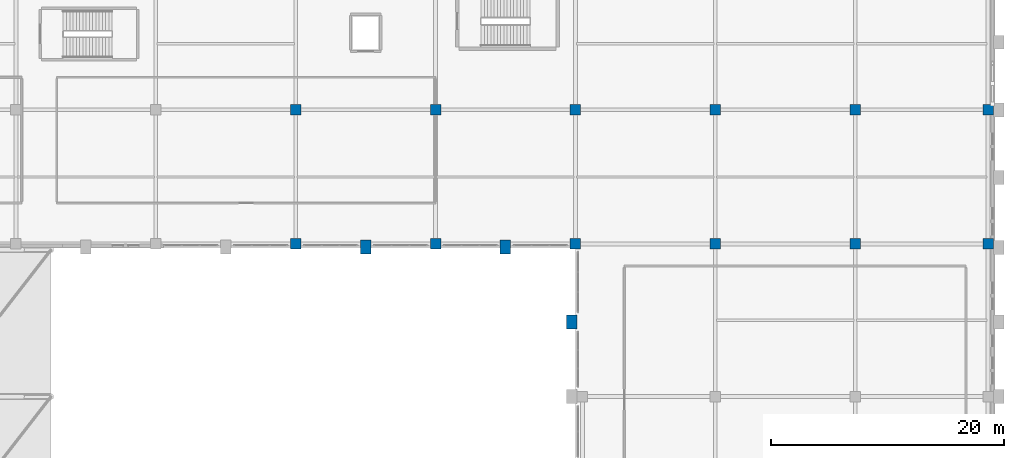
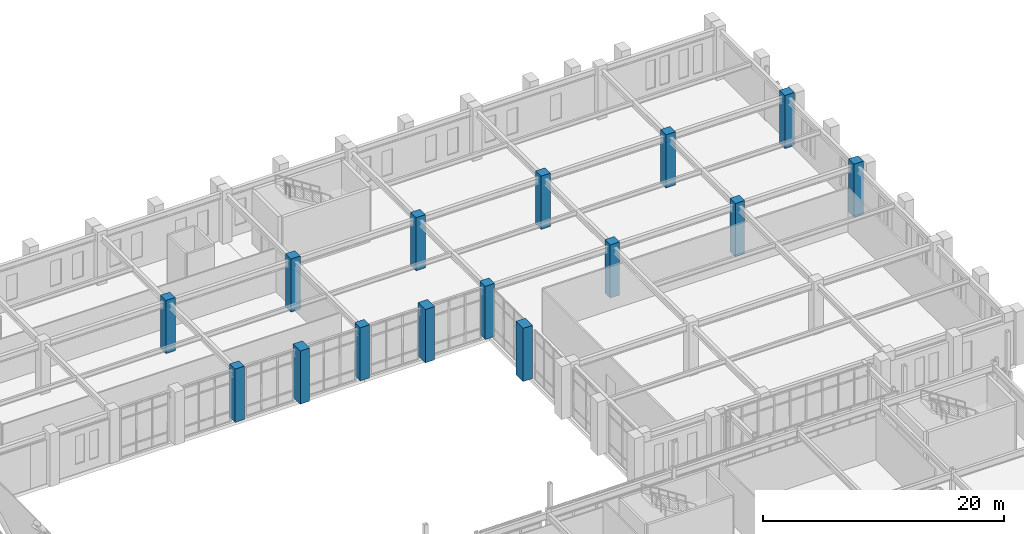
# One storey, part 15 of 159: 15 columns.
"""IFC4 building model written with IfcOpenShell, lengths in metres."""

from ifc_helpers import new_model, si_unit, derived_unit, direction, frame, origin, origin_2d, place, context, subcontext, project, spatial, rectangle, extrude, material, material_profile, profile_set, type_object, element, save


model = new_model("IFC4")

# Units and contexts
model_context = context("Model", 3, precision=1e-05, world=origin(), true_north=direction((0.0, 1.0)))
body_context = subcontext(model_context, "Body", "Model", "MODEL_VIEW")
ifc_project = project(units=[si_unit("LENGTHUNIT", "METRE"), si_unit("AREAUNIT", "SQUARE_METRE"), si_unit("VOLUMEUNIT", "CUBIC_METRE"), si_unit("PLANEANGLEUNIT", "RADIAN"), si_unit("MASSUNIT", "GRAM", prefix="KILO"), derived_unit("THERMALTRANSMITTANCEUNIT", [(si_unit("MASSUNIT", "GRAM", prefix="KILO"), 1), (si_unit("TIMEUNIT", "SECOND"), -3), (si_unit("THERMODYNAMICTEMPERATUREUNIT", "KELVIN"), -1)])], contexts=[model_context])

# Site, building, storey
site_placement = place(None, origin())
site = spatial("IfcSite", under=ifc_project, at=site_placement, CompositionType="ELEMENT")
building_placement = place(site_placement, origin())
building = spatial("IfcBuilding", under=site, at=building_placement, Name="Valcora Ridge Arena", CompositionType="ELEMENT")
storey_placement = place(building_placement, frame((0.0, 0.0, 6.0)))
storey = spatial("IfcBuildingStorey", under=building, at=storey_placement, Name="L01", CompositionType="ELEMENT", Elevation=6.0)

# Columns
ifc_material_1 = material(Name="Bush-hammered Andean travertine architectural concrete C45/55", Category="masonry")
ifc_material_profile_1 = material_profile(ifc_material_1, rectangle(XDim=0.89990234375, YDim=1.199951171875, at=origin_2d()), Name="RC 900x1200")
ifc_profile_set_1 = profile_set([ifc_material_profile_1], Name="Bush-hammered Andean travertine architectural concrete C45/55")
column_type_1 = type_object("IfcColumnType", Name="TY-COLUMN-C-BUTT-1200", PredefinedType="PILASTER", material=ifc_profile_set_1)
for number, where, z_axis, x_axis, name in (
    (1, (155.679931640625, 102.0, 0.0), (0.0, 0.0, 1.0), (1.0, 0.0, 0.0), "C-BUTT-1200 COL-C-BUTT-1200-0261"),
    (2, (138.0, 108.419921875, 0.0), (0.0, 0.0, 1.0), (1.0, 0.0, 0.0), "C-BUTT-1200 COL-C-BUTT-1200-0365"),
    (3, (150.0, 108.419921875, 0.0), (0.0, 0.0, 1.0), (1.0, 0.0, 0.0), "C-BUTT-1200 COL-C-BUTT-1200-0369"),
):
    element("IfcColumn", number, at=place(storey_placement, frame(where, z_axis=z_axis, x_axis=x_axis)), inside=storey, type_object=column_type_1, Name=name, PredefinedType="PILASTER", context=body_context, shape_type="SweptSolid", body=[
        extrude(rectangle(XDim=0.89990234375, YDim=1.199951171875, at=origin_2d()), origin(), (0.0, 0.0, 1.0), 5.39990234375),
    ])
ifc_material_2 = material(Name="Concrete C40/50", Category="concrete")
ifc_material_profile_2 = material_profile(ifc_material_2, rectangle(XDim=0.89990234375, YDim=0.89990234375, at=origin_2d()), Name="RC 900x900")
ifc_profile_set_2 = profile_set([ifc_material_profile_2], Name="Concrete C40/50")
column_type_2 = type_object("IfcColumnType", Name="TY-COLUMN-C-RC900B", PredefinedType="COLUMN", material=ifc_profile_set_2)
for number, where, z_axis, x_axis, name in (
    (4, (132.0, 108.699951171875, 0.0), (0.0, 0.0, 1.0), (1.0, 0.0, 0.0), "C-RC900B COL-C-RC900B-0084"),
    (5, (132.0, 120.199951171875, 0.0), (0.0, 0.0, 1.0), (1.0, 0.0, 0.0), "C-RC900B COL-C-RC900B-0087"),
    (6, (144.0, 108.699951171875, 0.0), (0.0, 0.0, 1.0), (1.0, 0.0, 0.0), "C-RC900B COL-C-RC900B-0093"),
    (7, (144.0, 120.199951171875, 0.0), (0.0, 0.0, 1.0), (1.0, 0.0, 0.0), "C-RC900B COL-C-RC900B-0096"),
    (8, (156.0, 108.699951171875, 0.0), (0.0, 0.0, 1.0), (1.0, 0.0, 0.0), "C-RC900B COL-C-RC900B-0102"),
    (9, (156.0, 120.199951171875, 0.0), (0.0, 0.0, 1.0), (1.0, 0.0, 0.0), "C-RC900B COL-C-RC900B-0105"),
    (10, (168.0, 108.699951171875, 0.0), (0.0, 0.0, 1.0), (1.0, 0.0, 0.0), "C-RC900B COL-C-RC900B-0111"),
    (11, (168.0, 120.199951171875, 0.0), (0.0, 0.0, 1.0), (1.0, 0.0, 0.0), "C-RC900B COL-C-RC900B-0114"),
    (12, (180.0, 108.699951171875, 0.0), (0.0, 0.0, 1.0), (1.0, 0.0, 0.0), "C-RC900B COL-C-RC900B-0120"),
    (13, (180.0, 120.199951171875, 0.0), (0.0, 0.0, 1.0), (1.0, 0.0, 0.0), "C-RC900B COL-C-RC900B-0123"),
    (14, (191.39990234375, 108.699951171875, 0.0), (0.0, 0.0, 1.0), (1.0, 0.0, 0.0), "C-RC900B COL-C-RC900B-0129"),
    (15, (191.39990234375, 120.199951171875, 0.0), (0.0, 0.0, 1.0), (1.0, 0.0, 0.0), "C-RC900B COL-C-RC900B-0132"),
):
    element("IfcColumn", number, at=place(storey_placement, frame(where, z_axis=z_axis, x_axis=x_axis)), inside=storey, type_object=column_type_2, Name=name, PredefinedType="COLUMN", context=body_context, shape_type="SweptSolid", body=[
        extrude(rectangle(XDim=0.89990234375, YDim=0.89990234375, at=origin_2d()), origin(), (0.0, 0.0, 1.0), 5.39990234375),
    ])

save(model, "model.ifc")
